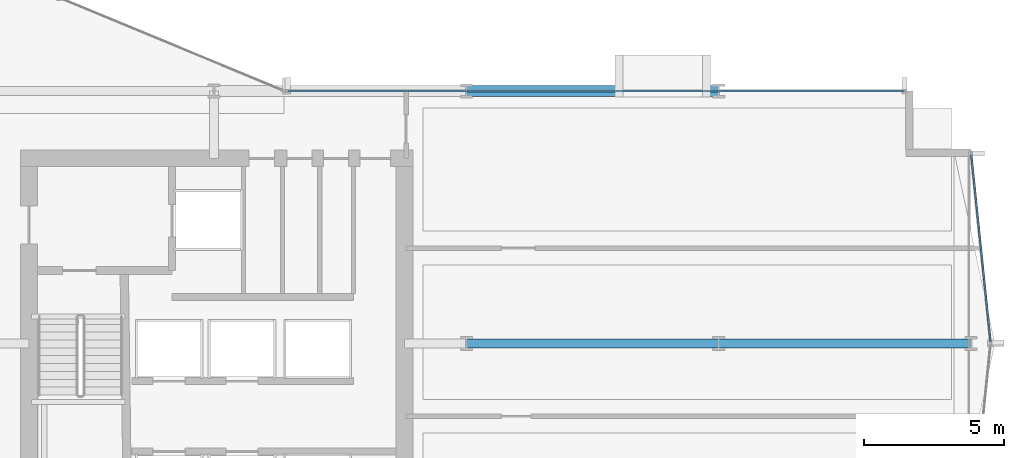
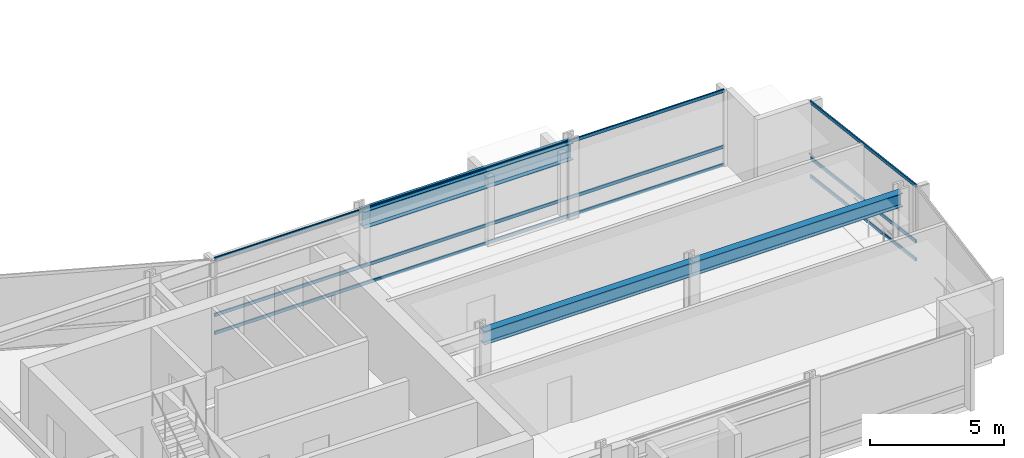
# One storey, part 16 of 34: 6 members, 3 beams, 2 elements without a shape of their own.
"""IFC4 building model written with IfcOpenShell, lengths in metres."""

from ifc_helpers import new_model, si_unit, direction, frame, origin, origin_2d, place, context, subcontext, project, spatial, hollow_rectangle, i_section, extrude, material, layer, layer_set, material_profile, profile_set, type_object, element, aggregate, save


model = new_model("IFC4")

# Units and contexts
model_context = context("Model", 3, precision=1e-05, world=origin(), true_north=direction((0.0, 1.0)))
body_context = subcontext(model_context, "Body", "Model", "MODEL_VIEW")
ifc_project = project(units=[si_unit("LENGTHUNIT", "METRE"), si_unit("AREAUNIT", "SQUARE_METRE"), si_unit("VOLUMEUNIT", "CUBIC_METRE"), si_unit("PLANEANGLEUNIT", "RADIAN"), si_unit("MASSUNIT", "GRAM", prefix="KILO")], contexts=[model_context])

# Site, building, storey
site_placement = place(None, origin())
site = spatial("IfcSite", under=ifc_project, at=site_placement, CompositionType="ELEMENT")
building_placement = place(site_placement, origin())
building = spatial("IfcBuilding", under=site, at=building_placement, Name="Solvaryn Broadcast Tower", CompositionType="ELEMENT")
storey_placement = place(building_placement, frame((0.0, 0.0, 39.699951171875)))
storey = spatial("IfcBuildingStorey", under=building, at=storey_placement, Name="L08", CompositionType="ELEMENT", Elevation=39.699951171875)

# Beams
ifc_material_1 = material(Name="Steel ASTM A992 Grade 50", Category="steel")
ifc_material_profile_1 = material_profile(ifc_material_1, i_section(OverallWidth=0.323974609375, OverallDepth=0.611083984375, WebThickness=0.0126953125, FlangeThickness=0.01904296875, FilletRadius=0.014892578125, at=origin_2d()))
ifc_profile_set_1 = profile_set([ifc_material_profile_1], Name="Steel ASTM A992 Grade 50")
beam_type_1 = type_object("IfcBeamType", Name="BM-B1-W24X104", PredefinedType="BEAM", material=ifc_profile_set_1)
for number, where, z_axis, x_axis, name in (
    (1, (45.0, 18.0, 3.114501953125), (1.0, 0.0, 0.0), (0.0, 1.0, 0.0), "L08 Primary Beam X (45-54 @ Y=18)"),
    (2, (54.0, 18.0, 3.114501953125), (1.0, 0.0, 0.0), (0.0, 1.0, 0.0), "L08 Primary Beam X (54-63 @ Y=18)"),
):
    element("IfcBeam", number, at=place(storey_placement, frame(where, z_axis=z_axis, x_axis=x_axis)), inside=storey, type_object=beam_type_1, Name=name, PredefinedType="BEAM", context=body_context, shape_type="SweptSolid", body=[
        extrude(i_section(OverallWidth=0.323974609375, OverallDepth=0.611083984375, WebThickness=0.0126953125, FlangeThickness=0.01904296875, FilletRadius=0.014892578125, at=origin_2d()), origin(), (0.0, 0.0, 1.0), 9.0),
    ])
ifc_material_2 = material(Name="Steel ASTM A992 Grade 50", Category="steel")
ifc_material_profile_2 = material_profile(ifc_material_2, i_section(OverallWidth=0.381103515625, OverallDepth=0.77294921875, WebThickness=0.0166015625, FlangeThickness=0.027099609375, FilletRadius=0.01806640625, at=origin_2d()))
ifc_profile_set_2 = profile_set([ifc_material_profile_2], Name="Steel ASTM A992 Grade 50")
beam_type_2 = type_object("IfcBeamType", Name="BM-SP1-W30X173", PredefinedType="USERDEFINED", material=ifc_profile_set_2)
beam_placement = place(storey_placement, frame((45.0, 27.0, 3.033447265625), z_axis=(1.0, 0.0, 0.0), x_axis=(0.0, 1.0, 0.0)))
element("IfcBeam", 3, at=beam_placement, inside=storey, type_object=beam_type_2, Name="L08 Spandrel Beam X (45-54 @ Y=27)", ObjectType="SPANDREL", PredefinedType="USERDEFINED", context=body_context, shape_type="SweptSolid", body=[
    extrude(i_section(OverallWidth=0.381103515625, OverallDepth=0.77294921875, WebThickness=0.0166015625, FlangeThickness=0.027099609375, FilletRadius=0.01806640625, at=origin_2d()), origin(), (0.0, 0.0, 1.0), 9.0),
])

# Curtain wall, members
ifc_material_3 = material(Name="Aluminium and Terracotta Unitised Curtain Wall", Category="masonry")
ifc_layer = layer(ifc_material_3, 0.199951171875)
ifc_layer_set = layer_set([ifc_layer], Name="CW-SYS2-LOWMID")
curtain_wall_type = type_object("IfcCurtainWallType", Name="CW-SYS2-LOWMID", PredefinedType="NOTDEFINED", material=ifc_layer_set)
curtain_wall_1_placement = place(storey_placement, origin())
curtain_wall_1 = element("IfcCurtainWall", 4, at=curtain_wall_1_placement, inside=storey, type_object=curtain_wall_type, Name="L08 Curtain Wall ET1", PredefinedType="NOTDEFINED")
ifc_material_4 = material(Name="Anodised Aluminium 6063-T6", Category="aluminium")
ifc_material_profile_3 = material_profile(ifc_material_4, hollow_rectangle(XDim=0.06494140625, YDim=0.14990234375, WallThickness=0.00390625, InnerFilletRadius=0.00390625, OuterFilletRadius=0.008056640625, at=origin_2d()))
ifc_profile_set_3 = profile_set([ifc_material_profile_3], Name="Anodised Aluminium 6063-T6")
member_type = type_object("IfcMemberType", Name="CW-TRN-150", PredefinedType="USERDEFINED", material=ifc_profile_set_3)
member_1_placement = place(storey_placement, frame((63.006103515625, 24.740234375, 0.030029296875), z_axis=(0.102404277363, -0.994742863245, 0.0), x_axis=(0.994742863245, 0.102404277363, 0.0)))
member_1 = element("IfcMember", 5, at=member_1_placement, type_object=member_type, Name="CWS2 transom 1.1", ObjectType="TRANSOM", PredefinedType="USERDEFINED", context=body_context, shape_type="SweptSolid", body=[
    extrude(hollow_rectangle(XDim=0.06494140625, YDim=0.14990234375, WallThickness=0.00390625, InnerFilletRadius=0.00390625, OuterFilletRadius=0.008056640625, at=origin_2d()), origin(), (0.0, 0.0, 1.0), 6.716064453125),
])
member_2_placement = place(storey_placement, frame((63.006103515625, 24.740234375, 0.85009765625), z_axis=(0.102404277363, -0.994742863245, 0.0), x_axis=(0.994742863245, 0.102404277363, 0.0)))
member_2 = element("IfcMember", 6, at=member_2_placement, type_object=member_type, Name="CWS2 transom 1.2", ObjectType="TRANSOM", PredefinedType="USERDEFINED", context=body_context, shape_type="SweptSolid", body=[
    extrude(hollow_rectangle(XDim=0.06494140625, YDim=0.14990234375, WallThickness=0.00390625, InnerFilletRadius=0.00390625, OuterFilletRadius=0.008056640625, at=origin_2d()), origin(), (0.0, 0.0, 1.0), 6.716064453125),
])
member_3_placement = place(storey_placement, frame((63.006103515625, 24.740234375, 3.39013671875), z_axis=(0.102404277363, -0.994742863245, 0.0), x_axis=(0.994742863245, 0.102404277363, 0.0)))
member_3 = element("IfcMember", 7, at=member_3_placement, type_object=member_type, Name="CWS2 transom 1.3", ObjectType="TRANSOM", PredefinedType="USERDEFINED", context=body_context, shape_type="SweptSolid", body=[
    extrude(hollow_rectangle(XDim=0.06494140625, YDim=0.14990234375, WallThickness=0.00390625, InnerFilletRadius=0.00390625, OuterFilletRadius=0.008056640625, at=origin_2d()), origin(), (0.0, 0.0, 1.0), 6.716064453125),
])
aggregate(curtain_wall_1, [member_1, member_2, member_3])

curtain_wall_2_placement = place(storey_placement, origin())
curtain_wall_2 = element("IfcCurtainWall", 8, at=curtain_wall_2_placement, inside=storey, type_object=curtain_wall_type, Name="L08 Curtain Wall IH", PredefinedType="NOTDEFINED")
member_4_placement = place(storey_placement, frame((38.659912109375, 27.0, 0.030029296875), z_axis=(1.0, 0.0, 0.0), x_axis=(0.0, 1.0, 0.0)))
member_4 = element("IfcMember", 9, at=member_4_placement, type_object=member_type, Name="CWS2 transom 1.1", ObjectType="TRANSOM", PredefinedType="USERDEFINED", context=body_context, shape_type="SweptSolid", body=[
    extrude(hollow_rectangle(XDim=0.06494140625, YDim=0.14990234375, WallThickness=0.00390625, InnerFilletRadius=0.00390625, OuterFilletRadius=0.008056640625, at=origin_2d()), origin(), (0.0, 0.0, 1.0), 21.93017578125),
])
member_5_placement = place(storey_placement, frame((38.659912109375, 27.0, 0.85009765625), z_axis=(1.0, 0.0, 0.0), x_axis=(0.0, 1.0, 0.0)))
member_5 = element("IfcMember", 10, at=member_5_placement, type_object=member_type, Name="CWS2 transom 1.2", ObjectType="TRANSOM", PredefinedType="USERDEFINED", context=body_context, shape_type="SweptSolid", body=[
    extrude(hollow_rectangle(XDim=0.06494140625, YDim=0.14990234375, WallThickness=0.00390625, InnerFilletRadius=0.00390625, OuterFilletRadius=0.008056640625, at=origin_2d()), origin(), (0.0, 0.0, 1.0), 21.93017578125),
])
member_6_placement = place(storey_placement, frame((38.659912109375, 27.0, 3.39013671875), z_axis=(1.0, 0.0, 0.0), x_axis=(0.0, 1.0, 0.0)))
member_6 = element("IfcMember", 11, at=member_6_placement, type_object=member_type, Name="CWS2 transom 1.3", ObjectType="TRANSOM", PredefinedType="USERDEFINED", context=body_context, shape_type="SweptSolid", body=[
    extrude(hollow_rectangle(XDim=0.06494140625, YDim=0.14990234375, WallThickness=0.00390625, InnerFilletRadius=0.00390625, OuterFilletRadius=0.008056640625, at=origin_2d()), origin(), (0.0, 0.0, 1.0), 21.93017578125),
])
aggregate(curtain_wall_2, [member_4, member_5, member_6])

save(model, "model.ifc")
